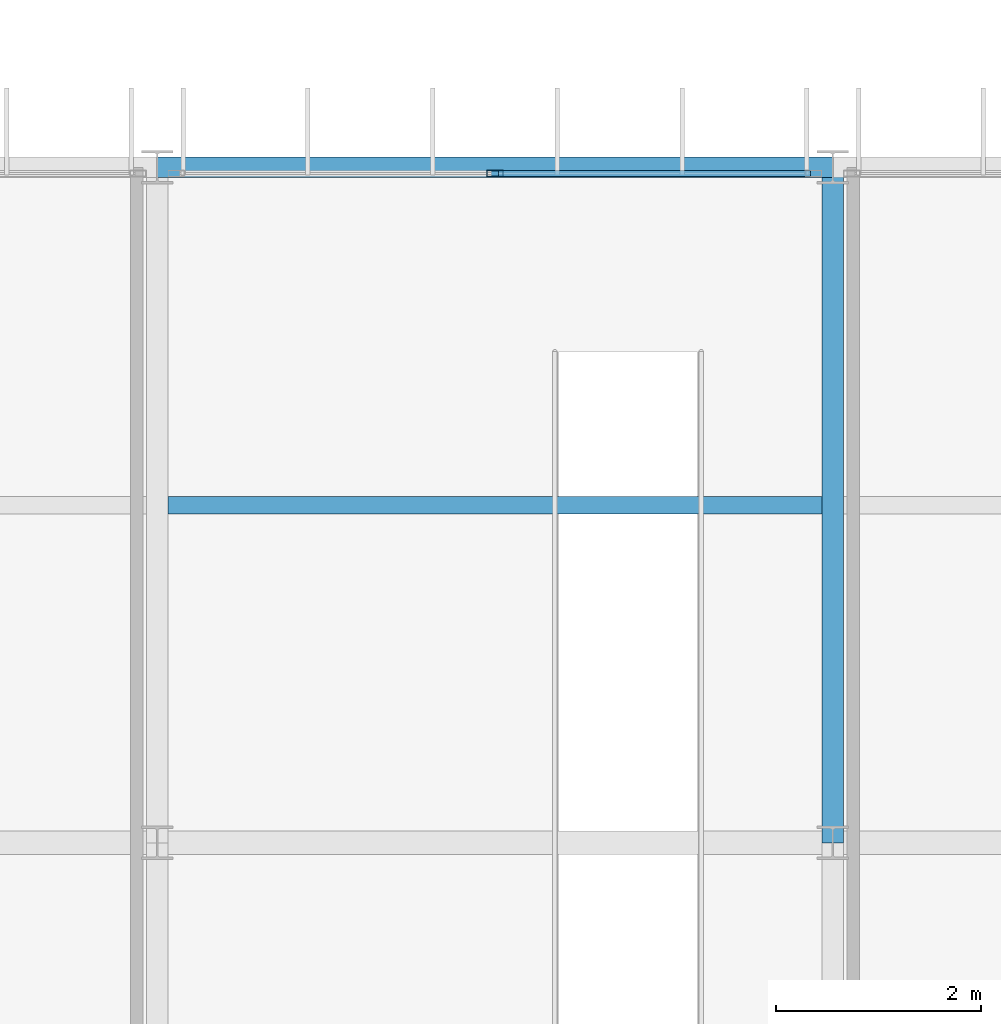
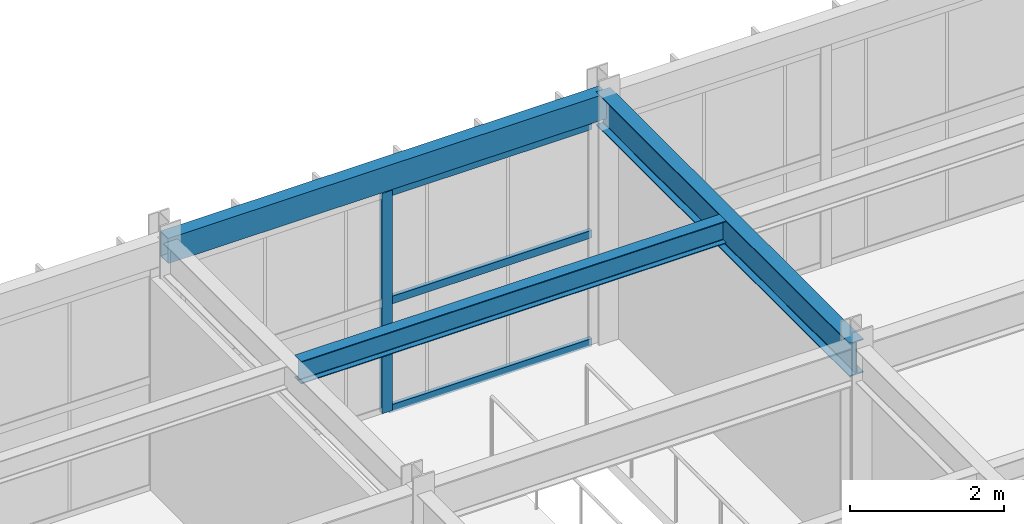
# One storey, part 84 of 130: 4 members, 3 beams, 1 element without a shape of its own.
"""IFC4 building model written with IfcOpenShell, lengths in metres."""

import ifcopenshell
import ifcopenshell.guid

model = None  # the IFC model being written
_history = None  # IfcOwnerHistory: only IFC2X3 demands one
_inside = {}  # id of a spatial element -> (the spatial element, [elements in it])
_under = {}  # id of a project, library or spatial element -> (it, [spatial elements below it])
_declared = {}  # id of a project -> (the project, [libraries it declares])
_typed = {}  # id of a type object -> (the type object, [elements of that type])
_made_of = {}  # id of a material, layer set ... -> (it, [elements and type objects made of it])


def new_model(schema):
    """Start an empty IFC model of exactly this schema.

    Asked for "IFC4X3", IfcOpenShell would pick the latest addendum, in which some entities
    have other attributes; the version numbers below select the first issue.
    IFC2X3 requires an IfcOwnerHistory on every rooted entity: one is made here for all.
    """
    global model, _history
    if schema == "IFC4X3":
        model = ifcopenshell.file(schema_version=(4, 3, 0, 0))
    else:
        model = ifcopenshell.file(schema=schema)
    _inside.clear()
    _under.clear()
    _declared.clear()
    _typed.clear()
    _made_of.clear()
    _history = None
    if model.schema == "IFC2X3":
        org = make("IfcOrganization", Name="unknown")
        user = make(
            "IfcPersonAndOrganization",
            ThePerson=make("IfcPerson", FamilyName="unknown"),
            TheOrganization=org,
        )
        app = make(
            "IfcApplication",
            ApplicationDeveloper=org,
            Version="unknown",
            ApplicationFullName="unknown",
            ApplicationIdentifier="unknown",
        )
        _history = make(
            "IfcOwnerHistory",
            OwningUser=user,
            OwningApplication=app,
            ChangeAction="ADDED",
            CreationDate=0,
        )
    return model


def make(cls, **values):
    """One entity of the class cls with the attributes given. An attribute that is None is left unset."""
    return model.create_entity(
        cls, **{name: value for name, value in values.items() if value is not None}
    )


def rooted(cls, **values):
    """An entity with a GlobalId (a new one), such as an element, a storey or a relation."""
    return make(cls, GlobalId=ifcopenshell.guid.new(), OwnerHistory=_history, **values)


def si_unit(unit_type, name, prefix=None):
    """IfcSIUnit, for example si_unit("LENGTHUNIT", "METRE", prefix="MILLI")."""
    return make("IfcSIUnit", UnitType=unit_type, Prefix=prefix, Name=name)


def assignment(units):
    """IfcUnitAssignment: the units of a project."""
    return None if units is None else make("IfcUnitAssignment", Units=units)


def point(xyz):
    """IfcCartesianPoint."""
    return None if xyz is None else make("IfcCartesianPoint", Coordinates=xyz)


def direction(xyz):
    """IfcDirection."""
    return None if xyz is None else make("IfcDirection", DirectionRatios=xyz)


def frame(location, z_axis=None, x_axis=None):
    """IfcAxis2Placement3D, a coordinate frame: its origin and axes. An axis left out is left unset."""
    return make(
        "IfcAxis2Placement3D",
        Location=point(location),
        Axis=direction(z_axis),
        RefDirection=direction(x_axis),
    )


def frame_2d(location, x_axis=None):
    """IfcAxis2Placement2D, a coordinate frame in the plane: its origin and x axis."""
    return make(
        "IfcAxis2Placement2D", Location=point(location), RefDirection=direction(x_axis)
    )


def origin():
    """The frame at (0, 0, 0) with its axes left unset."""
    return frame((0.0, 0.0, 0.0))


def origin_2d():
    """The frame at (0, 0) in the plane with its x axis left unset."""
    return frame_2d((0.0, 0.0))


def place(relative_to, where):
    """IfcLocalPlacement: puts the frame where relative to a parent placement (None: the world)."""
    return make(
        "IfcLocalPlacement", PlacementRelTo=relative_to, RelativePlacement=where
    )


def context(
    kind, dimensions, precision=None, world=None, true_north=None, identifier=None
):
    """IfcGeometricRepresentationContext, for example the 3D "Model" context."""
    return make(
        "IfcGeometricRepresentationContext",
        ContextIdentifier=identifier,
        ContextType=kind,
        CoordinateSpaceDimension=dimensions,
        Precision=precision,
        WorldCoordinateSystem=world,
        TrueNorth=true_north,
    )


def subcontext(parent, identifier, kind, view, scale=None):
    """IfcGeometricRepresentationSubContext, for example "Body" below "Model"."""
    return make(
        "IfcGeometricRepresentationSubContext",
        ContextIdentifier=identifier,
        ContextType=kind,
        ParentContext=parent,
        TargetScale=scale,
        TargetView=view,
    )


def project(units=None, contexts=None):
    """IfcProject with its units and contexts."""
    return rooted(
        "IfcProject",
        Name="project",
        RepresentationContexts=contexts,
        UnitsInContext=assignment(units),
    )


def spatial(cls, under=None, at=None, **own):
    """A site, building, storey or space (cls), placed at a placement, below another one or the project."""
    s = rooted(cls, ObjectPlacement=at, **own)
    if under is not None:
        _under.setdefault(under.id(), (under, []))[1].append(s)
    return s


def profile(cls, at=None, kind="AREA", **sizes):
    """A parametric profile (cls). Its sizes go by their IFC names, for example OverallWidth=200.0."""
    return make(cls, ProfileType=kind, Position=at, **sizes)


def hollow_rectangle(**sizes):
    """IfcRectangleHollowProfileDef."""
    return profile("IfcRectangleHollowProfileDef", **sizes)


def i_section(**sizes):
    """IfcIShapeProfileDef."""
    return profile("IfcIShapeProfileDef", **sizes)


def extrude(swept, where, along, depth):
    """IfcExtrudedAreaSolid: the profile swept, set in the frame where, extruded along a direction by depth."""
    return make(
        "IfcExtrudedAreaSolid",
        SweptArea=swept,
        Position=where,
        ExtrudedDirection=direction(along),
        Depth=depth,
    )


def shape(context_of_items, identifier, shape_type, items):
    """IfcShapeRepresentation: the items that make up one representation, for example the "Body"."""
    return make(
        "IfcShapeRepresentation",
        ContextOfItems=context_of_items,
        RepresentationIdentifier=identifier,
        RepresentationType=shape_type,
        Items=items,
    )


def material(Name=None, Category=None):
    """IfcMaterial."""
    return make("IfcMaterial", Name=Name, Category=Category)


def material_profile(
    of_material, cross_section, Name=None, Category=None, Priority=None
):
    """IfcMaterialProfile: a cross section and its material."""
    return make(
        "IfcMaterialProfile",
        Name=Name,
        Material=of_material,
        Profile=cross_section,
        Priority=Priority,
        Category=Category,
    )


def profile_set(profiles, Name=None, composite=None):
    """IfcMaterialProfileSet."""
    return make(
        "IfcMaterialProfileSet",
        Name=Name,
        MaterialProfiles=profiles,
        CompositeProfile=composite,
    )


def made_of(thing, what):
    """Note that an element or type object is made of a material, layer set ...; save() writes the relation."""
    if what is not None:
        _made_of.setdefault(what.id(), (what, []))[1].append(thing)
    return thing


def type_object(cls, material=None, **own):
    """A type object (cls), such as IfcWallType, which elements share."""
    return made_of(rooted(cls, **own), material)


def element(
    cls,
    number,
    at=None,
    inside=None,
    cuts=None,
    type_object=None,
    material=None,
    context=None,
    identifier="Body",
    shape_type=None,
    held_by="IfcProductDefinitionShape",
    body=None,
    shapes=None,
    **own,
):
    """One element of the class cls, such as IfcWall. Its Tag is "e" and its number.

    at: its placement. inside: the storey or other place that contains it. cuts: it is an
    opening in that element (IfcRelVoidsElement). A single representation is given by context,
    identifier, shape_type and body (its items); several are given by shapes. held_by: the class
    of the entity that holds the representations. save() writes the other relations.
    """
    e = rooted(cls, Tag="e%d" % number, ObjectPlacement=at, **own)
    if body is not None:
        shapes = [shape(context, identifier, shape_type, body)]
    if shapes is not None:
        e.Representation = make(held_by, Representations=shapes)
    if inside is not None:
        _inside.setdefault(inside.id(), (inside, []))[1].append(e)
    if cuts is not None:
        rooted(
            "IfcRelVoidsElement", RelatingBuildingElement=cuts, RelatedOpeningElement=e
        )
    if type_object is not None:
        _typed.setdefault(type_object.id(), (type_object, []))[1].append(e)
    return made_of(e, material)


def aggregate(whole, parts):
    """IfcRelAggregates: a whole, such as a stair, and the parts it consists of."""
    return rooted("IfcRelAggregates", RelatingObject=whole, RelatedObjects=parts)


def save(model, path):
    """Write the relations noted so far, then the file.

    IfcRelAggregates (storeys below a building ...), IfcRelContainedInSpatialStructure (elements
    in a storey), IfcRelDefinesByType, IfcRelAssociatesMaterial and IfcRelDeclares: one each for
    every whole, place, type object, material and project.
    """
    for whole, parts in _under.values():
        aggregate(whole, parts)
    for where, things in _inside.values():
        rooted(
            "IfcRelContainedInSpatialStructure",
            RelatedElements=things,
            RelatingStructure=where,
        )
    for kind, things in _typed.values():
        rooted("IfcRelDefinesByType", RelatedObjects=things, RelatingType=kind)
    for what, things in _made_of.values():
        rooted("IfcRelAssociatesMaterial", RelatedObjects=things, RelatingMaterial=what)
    for by, libraries in _declared.values():
        rooted("IfcRelDeclares", RelatingContext=by, RelatedDefinitions=libraries)
    model.write(path)


model = new_model("IFC4")

# Units and contexts
model_context = context("Model", 3, precision=1e-05, world=origin(), true_north=direction((0.0, 1.0)))
body_context = subcontext(model_context, "Body", "Model", "MODEL_VIEW")
ifc_project = project(units=[si_unit("LENGTHUNIT", "METRE"), si_unit("AREAUNIT", "SQUARE_METRE"), si_unit("VOLUMEUNIT", "CUBIC_METRE"), si_unit("PLANEANGLEUNIT", "RADIAN"), si_unit("MASSUNIT", "GRAM", prefix="KILO")], contexts=[model_context])

# Site, building, storey
site_placement = place(None, origin())
site = spatial("IfcSite", under=ifc_project, at=site_placement, CompositionType="ELEMENT")
building_placement = place(site_placement, origin())
building = spatial("IfcBuilding", under=site, at=building_placement, Name="Karori Crest Natural Sciences Institute", CompositionType="ELEMENT")
storey_placement = place(building_placement, frame((0.0, 0.0, 17.5)))
storey = spatial("IfcBuildingStorey", under=building, at=storey_placement, Name="L04", CompositionType="ELEMENT", Elevation=17.5)

# Beams
ifc_material_1 = material(Name="Structural steel AS/NZS 3679.1 Grade 350", Category="steel")
ifc_material_profile_1 = material_profile(ifc_material_1, i_section(OverallWidth=0.208984375, OverallDepth=0.532958984375, WebThickness=0.01025390625, FlangeThickness=0.015625, FilletRadius=0.013916015625, at=origin_2d()), Name="530UB92.4")
ifc_profile_set_1 = profile_set([ifc_material_profile_1], Name="Structural steel AS/NZS 3679.1 Grade 350")
beam_type_1 = type_object("IfcBeamType", Name="BT-05", PredefinedType="BEAM", material=ifc_profile_set_1)
beam_1_placement = place(storey_placement, frame((149.800048828125, 14.0, 3.653564453125), z_axis=(0.0, 1.0, 0.0), x_axis=(-1.0, 0.0, 0.0)))
element("IfcBeam", 1, at=beam_1_placement, inside=storey, type_object=beam_type_1, Name="Beam B-2424", PredefinedType="BEAM", context=body_context, shape_type="SweptSolid", body=[
    extrude(i_section(OverallWidth=0.208984375, OverallDepth=0.532958984375, WebThickness=0.01025390625, FlangeThickness=0.015625, FilletRadius=0.013916015625, at=origin_2d()), origin(), (0.0, 0.0, 1.0), 6.60009765625),
])
ifc_material_profile_2 = material_profile(ifc_material_1, i_section(OverallWidth=0.172119140625, OverallDepth=0.35888671875, WebThickness=0.008056640625, FlangeThickness=0.012939453125, FilletRadius=0.010986328125, at=origin_2d()), Name="360UB56.7")
ifc_profile_set_2 = profile_set([ifc_material_profile_2], Name="Structural steel AS/NZS 3679.1 Grade 350")
beam_type_2 = type_object("IfcBeamType", Name="BT-08", PredefinedType="BEAM", material=ifc_profile_set_2)
beam_2_placement = place(storey_placement, frame((143.304443359375, 17.300048828125, 3.740478515625), z_axis=(1.0, 0.0, 0.0), x_axis=(0.0, 1.0, 0.0)))
element("IfcBeam", 2, at=beam_2_placement, inside=storey, type_object=beam_type_2, Name="Beam B-2447", PredefinedType="BEAM", context=body_context, shape_type="SweptSolid", body=[
    extrude(i_section(OverallWidth=0.172119140625, OverallDepth=0.35888671875, WebThickness=0.008056640625, FlangeThickness=0.012939453125, FilletRadius=0.010986328125, at=origin_2d()), origin(), (0.0, 0.0, 1.0), 6.39111328125),
])
ifc_material_2 = material(Name="Hollow structural steel AS/NZS 1163 Grade C350", Category="steel")
ifc_material_profile_3 = material_profile(ifc_material_2, hollow_rectangle(XDim=0.199951171875, YDim=0.39990234375, WallThickness=0.012451171875, at=origin_2d()), Name="RHS400x200x12.5")
ifc_profile_set_3 = profile_set([ifc_material_profile_3], Name="Hollow structural steel AS/NZS 1163 Grade C350")
beam_type_3 = type_object("IfcBeamType", Name="BT-14", PredefinedType="SPANDREL", material=ifc_profile_set_3)
beam_3_placement = place(storey_placement, frame((143.199951171875, 20.60009765625, 3.719970703125), z_axis=(1.0, 0.0, 0.0), x_axis=(0.0, 1.0, 0.0)))
element("IfcBeam", 3, at=beam_3_placement, inside=storey, type_object=beam_type_3, Name="Beam B-2398", PredefinedType="SPANDREL", context=body_context, shape_type="SweptSolid", body=[
    extrude(hollow_rectangle(XDim=0.199951171875, YDim=0.39990234375, WallThickness=0.012451171875, at=origin_2d()), origin(), (0.0, 0.0, 1.0), 6.60009765625),
])

# Curtain wall, members
ifc_material_3 = material(Name="Anodised architectural aluminium 6063-T6", Category="aluminium")
curtain_wall_type = type_object("IfcCurtainWallType", Name="CWT-20", PredefinedType="NOTDEFINED", material=ifc_material_3)
curtain_wall_placement = place(storey_placement, origin())
curtain_wall = element("IfcCurtainWall", 4, at=curtain_wall_placement, inside=storey, type_object=curtain_wall_type, Name="Curtain wall CW-0337", PredefinedType="NOTDEFINED")
ifc_material_profile_4 = material_profile(ifc_material_3, hollow_rectangle(XDim=0.06494140625, YDim=0.159912109375, WallThickness=0.00390625, at=origin_2d()), Name="CWM160x65x4")
ifc_profile_set_4 = profile_set([ifc_material_profile_4], Name="Anodised architectural aluminium 6063-T6")
member_type_1 = type_object("IfcMemberType", Name="CWM-01", PredefinedType="MULLION", material=ifc_profile_set_4)
member_1_placement = place(storey_placement, frame((146.5, 20.5400390625, 0.0), z_axis=(0.0, 0.0, 1.0), x_axis=(0.0, 1.0, 0.0)))
member_1 = element("IfcMember", 5, at=member_1_placement, type_object=member_type_1, Name="CW-0337 mullion 2", PredefinedType="MULLION", context=body_context, shape_type="SweptSolid", body=[
    extrude(hollow_rectangle(XDim=0.06494140625, YDim=0.159912109375, WallThickness=0.00390625, at=origin_2d()), origin(), (0.0, 0.0, 1.0), 3.5048828125),
])
ifc_material_profile_5 = material_profile(ifc_material_3, hollow_rectangle(XDim=0.06005859375, YDim=0.1201171875, WallThickness=0.00390625, at=origin_2d()), Name="CWT120x60x4")
ifc_profile_set_5 = profile_set([ifc_material_profile_5], Name="Anodised architectural aluminium 6063-T6")
member_type_2 = type_object("IfcMemberType", Name="CWT-TR1", PredefinedType="USERDEFINED", material=ifc_profile_set_5)
member_2_placement = place(storey_placement, frame((146.532470703125, 20.5400390625, 0.030029296875), z_axis=(1.0, 0.0, 0.0), x_axis=(0.0, 1.0, 0.0)))
member_2 = element("IfcMember", 6, at=member_2_placement, type_object=member_type_2, Name="CW-0337 transom 2.1", ObjectType="TRANSOM", PredefinedType="USERDEFINED", context=body_context, shape_type="SweptSolid", body=[
    extrude(hollow_rectangle(XDim=0.06005859375, YDim=0.1201171875, WallThickness=0.00390625, at=origin_2d()), origin(), (0.0, 0.0, 1.0), 3.049072265625),
])
member_3_placement = place(storey_placement, frame((146.532470703125, 20.5400390625, 1.75244140625), z_axis=(1.0, 0.0, 0.0), x_axis=(0.0, 1.0, 0.0)))
member_3 = element("IfcMember", 7, at=member_3_placement, type_object=member_type_2, Name="CW-0337 transom 2.2", ObjectType="TRANSOM", PredefinedType="USERDEFINED", context=body_context, shape_type="SweptSolid", body=[
    extrude(hollow_rectangle(XDim=0.06005859375, YDim=0.1201171875, WallThickness=0.00390625, at=origin_2d()), origin(), (0.0, 0.0, 1.0), 3.049072265625),
])
member_4_placement = place(storey_placement, frame((146.532470703125, 20.5400390625, 3.47509765625), z_axis=(1.0, 0.0, 0.0), x_axis=(0.0, 1.0, 0.0)))
member_4 = element("IfcMember", 8, at=member_4_placement, type_object=member_type_2, Name="CW-0337 transom 2.3", ObjectType="TRANSOM", PredefinedType="USERDEFINED", context=body_context, shape_type="SweptSolid", body=[
    extrude(hollow_rectangle(XDim=0.06005859375, YDim=0.1201171875, WallThickness=0.00390625, at=origin_2d()), origin(), (0.0, 0.0, 1.0), 3.049072265625),
])
aggregate(curtain_wall, [member_1, member_2, member_3, member_4])

save(model, "model.ifc")
